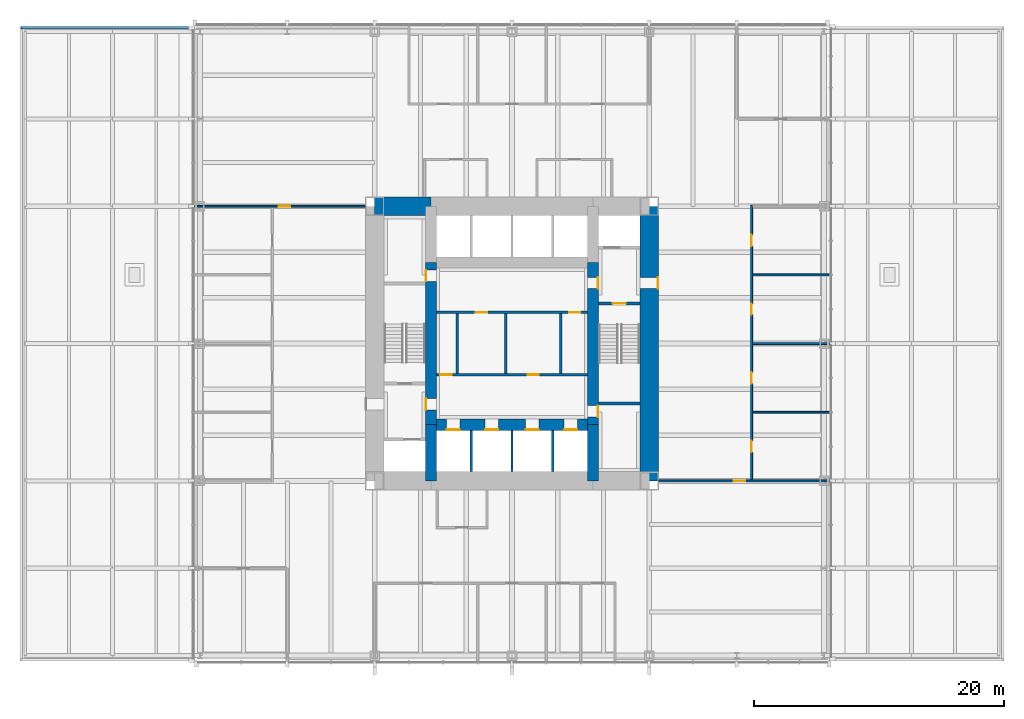
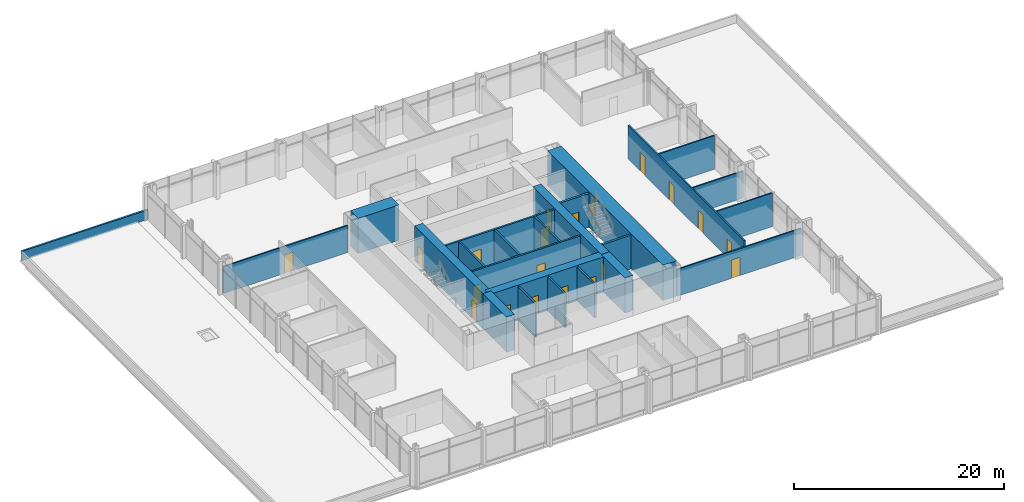
# One storey, part 13 of 15: 24 walls, 20 doors, 20 openings.
"""IFC4 building model written with IfcOpenShell, lengths in metres."""

from ifc_helpers import new_model, si_unit, direction, frame, frame_2d, origin, place, context, subcontext, project, spatial, rectangle, extrude, material, layer, layer_set, type_object, element, fill, save


model = new_model("IFC4")

# Units and contexts
model_context = context("Model", 3, precision=1e-05, world=origin(), true_north=direction((0.0, 1.0)))
body_context = subcontext(model_context, "Body", "Model", "MODEL_VIEW")
ifc_project = project(units=[si_unit("LENGTHUNIT", "METRE"), si_unit("AREAUNIT", "SQUARE_METRE"), si_unit("VOLUMEUNIT", "CUBIC_METRE"), si_unit("PLANEANGLEUNIT", "RADIAN"), si_unit("MASSUNIT", "GRAM", prefix="KILO")], contexts=[model_context])

# Site, building, storey
site_placement = place(None, origin())
site = spatial("IfcSite", under=ifc_project, at=site_placement, CompositionType="ELEMENT")
building_placement = place(site_placement, origin())
building = spatial("IfcBuilding", under=site, at=building_placement, Name="Trevanion Tower", CompositionType="ELEMENT")
storey_placement = place(building_placement, frame((0.0, 0.0, 16.0)))
storey = spatial("IfcBuildingStorey", under=building, at=storey_placement, Name="L03", CompositionType="ELEMENT", Elevation=16.0)

# Wall, opening, door
ifc_material_1 = material(Name="Concrete 10,000 psi", Category="concrete")
ifc_layer_1 = layer(ifc_material_1, 1.5)
ifc_layer_set_1 = layer_set([ifc_layer_1], Name="CW1 core wall 1500")
wall_type_1 = type_object("IfcWallType", Name="CW1 core wall 1500", PredefinedType="SHEAR", material=ifc_layer_set_1)
wall_1_placement = place(storey_placement, frame((11.0, -11.0, 0.0), z_axis=(0.0, 0.0, 1.0), x_axis=(0.0, 1.0, 0.0)))
wall_1 = element("IfcWall", 1, at=wall_1_placement, inside=storey, type_object=wall_type_1, Name="CW1 CE L03", PredefinedType="SHEAR", context=body_context, shape_type="SweptSolid", body=[
    extrude(rectangle(XDim=22.0, YDim=1.5, at=frame_2d((11.0, 0.0))), origin(), (0.0, 0.0, 1.0), 4.10009765625),
])
opening_1_placement = place(wall_1_placement, frame((15.392578125, 0.0, 0.0)))
opening_1 = element("IfcOpeningElement", 2, at=opening_1_placement, cuts=wall_1, Name="Opening 03-001", PredefinedType="OPENING", context=body_context, shape_type="SweptSolid", body=[
    extrude(rectangle(XDim=0.9150390625, YDim=2.134033203125, at=frame_2d((0.45751953125, 1.06689453125))), frame((0.0, 0.760009765625, 0.0), z_axis=(0.0, -1.0, 0.0), x_axis=(1.0, 0.0, 0.0)), (0.0, 0.0, 1.0), 1.52001953125),
])
ifc_material_2 = material(Name="Hollow metal, fire rated", Category="steel")
door_type_1 = type_object("IfcDoorType", Name="D3 fire lift lobby door", OperationType="SINGLE_SWING_RIGHT", PredefinedType="DOOR", material=ifc_material_2)
door_1_placement = place(opening_1_placement, origin())
door_1 = element("IfcDoor", 3, at=door_1_placement, inside=storey, type_object=door_type_1, Name="Door 03-001", OperationType="SINGLE_SWING_RIGHT", OverallHeight=2.134033203125, OverallWidth=0.9150390625, PredefinedType="DOOR", context=body_context, shape_type="SweptSolid", body=[
    extrude(rectangle(XDim=0.9150390625, YDim=2.134033203125, at=frame_2d((0.45751953125, 1.06689453125))), frame((0.0, -0.6748046875, 0.0), z_axis=(0.0, -1.0, 0.0), x_axis=(1.0, 0.0, 0.0)), (0.0, 0.0, 1.0), 0.050048828125),
])
fill(opening_1, door_1)

# Walls
wall_2_placement = place(storey_placement, frame((-6.5, 11.0, 0.0), z_axis=(0.0, 0.0, 1.0), x_axis=(-1.0, 0.0, 0.0)))
element("IfcWall", 4, at=wall_2_placement, inside=storey, type_object=wall_type_1, Name="CW1 CN3 L03", PredefinedType="SHEAR", context=body_context, shape_type="SweptSolid", body=[
    extrude(rectangle(XDim=4.5, YDim=1.5, at=frame_2d((2.25, 0.0))), origin(), (0.0, 0.0, 1.0), 4.10009765625),
])
ifc_material_3 = material(Name="Concrete 10,000 psi", Category="concrete")
ifc_layer_2 = layer(ifc_material_3, 0.89990234375)
ifc_layer_set_2 = layer_set([ifc_layer_2], Name="CW2 core wall 900")
wall_type_2 = type_object("IfcWallType", Name="CW2 core wall 900", PredefinedType="SHEAR", material=ifc_layer_set_2)
wall_3_placement = place(storey_placement, frame((6.5, -11.0, 0.0), z_axis=(0.0, 0.0, 1.0), x_axis=(0.0, 1.0, 0.0)))
element("IfcWall", 5, at=wall_3_placement, inside=storey, type_object=wall_type_2, Name="CW2 RE1 L03", PredefinedType="SHEAR", context=body_context, shape_type="SweptSolid", body=[
    extrude(rectangle(XDim=4.5, YDim=0.89990234375, at=frame_2d((2.25, 0.0))), origin(), (0.0, 0.0, 1.0), 4.10009765625),
])

# Wall, openings, doors
wall_4_placement = place(storey_placement, frame((6.5, -6.5, 0.0), z_axis=(0.0, 0.0, 1.0), x_axis=(0.0, 1.0, 0.0)))
wall_4 = element("IfcWall", 6, at=wall_4_placement, inside=storey, type_object=wall_type_2, Name="CW2 RE2 L03", PredefinedType="SHEAR", context=body_context, shape_type="SweptSolid", body=[
    extrude(rectangle(XDim=13.0, YDim=0.89990234375, at=frame_2d((6.5, 0.0))), origin(), (0.0, 0.0, 1.0), 4.10009765625),
])
opening_2_placement = place(wall_4_placement, frame((10.892578125, 0.0, 0.0)))
opening_2 = element("IfcOpeningElement", 7, at=opening_2_placement, cuts=wall_4, Name="Opening 03-003", PredefinedType="OPENING", context=body_context, shape_type="SweptSolid", body=[
    extrude(rectangle(XDim=0.9150390625, YDim=2.134033203125, at=frame_2d((0.45751953125, 1.06689453125))), frame((0.0, 0.4599609375, 0.0), z_axis=(0.0, -1.0, 0.0), x_axis=(1.0, 0.0, 0.0)), (0.0, 0.0, 1.0), 0.919921875),
])
opening_3_placement = place(wall_4_placement, frame((0.610107421875, 0.0, 0.0)))
opening_3 = element("IfcOpeningElement", 8, at=opening_3_placement, cuts=wall_4, Name="Opening 03-009", PredefinedType="OPENING", context=body_context, shape_type="SweptSolid", body=[
    extrude(rectangle(XDim=0.9150390625, YDim=2.134033203125, at=frame_2d((0.45751953125, 1.06689453125))), frame((0.0, 0.4599609375, 0.0), z_axis=(0.0, -1.0, 0.0), x_axis=(1.0, 0.0, 0.0)), (0.0, 0.0, 1.0), 0.919921875),
])
door_2_placement = place(opening_2_placement, origin())
door_2 = element("IfcDoor", 9, at=door_2_placement, inside=storey, type_object=door_type_1, Name="Door 03-003", OperationType="SINGLE_SWING_RIGHT", OverallHeight=2.134033203125, OverallWidth=0.9150390625, PredefinedType="DOOR", context=body_context, shape_type="SweptSolid", body=[
    extrude(rectangle(XDim=0.9150390625, YDim=2.134033203125, at=frame_2d((0.45751953125, 1.06689453125))), frame((0.0, -0.375, 0.0), z_axis=(0.0, -1.0, 0.0), x_axis=(1.0, 0.0, 0.0)), (0.0, 0.0, 1.0), 0.050048828125),
])
fill(opening_2, door_2)
ifc_material_4 = material(Name="Hollow metal, fire rated", Category="steel")
door_type_2 = type_object("IfcDoorType", Name="D5 service room door", OperationType="SINGLE_SWING_RIGHT", PredefinedType="DOOR", material=ifc_material_4)
door_3_placement = place(opening_3_placement, origin())
door_3 = element("IfcDoor", 10, at=door_3_placement, inside=storey, type_object=door_type_2, Name="Door 03-009", OperationType="SINGLE_SWING_RIGHT", OverallHeight=2.134033203125, OverallWidth=0.9150390625, PredefinedType="DOOR", context=body_context, shape_type="SweptSolid", body=[
    extrude(rectangle(XDim=0.9150390625, YDim=2.134033203125, at=frame_2d((0.45751953125, 1.06689453125))), frame((0.0, -0.375, 0.0), z_axis=(0.0, -1.0, 0.0), x_axis=(1.0, 0.0, 0.0)), (0.0, 0.0, 1.0), 0.050048828125),
])
fill(opening_3, door_3)

wall_5_placement = place(storey_placement, frame((-6.5, 6.5, 0.0), z_axis=(0.0, 0.0, 1.0), x_axis=(0.0, -1.0, 0.0)))
wall_5 = element("IfcWall", 11, at=wall_5_placement, inside=storey, type_object=wall_type_2, Name="CW2 RW2 L03", PredefinedType="SHEAR", context=body_context, shape_type="SweptSolid", body=[
    extrude(rectangle(XDim=13.0, YDim=0.89990234375, at=frame_2d((6.5, 0.0))), origin(), (0.0, 0.0, 1.0), 4.10009765625),
])
opening_4_placement = place(wall_5_placement, frame((10.892578125, 0.0, 0.0)))
opening_4 = element("IfcOpeningElement", 12, at=opening_4_placement, cuts=wall_5, Name="Opening 03-004", PredefinedType="OPENING", context=body_context, shape_type="SweptSolid", body=[
    extrude(rectangle(XDim=0.9150390625, YDim=2.134033203125, at=frame_2d((0.45751953125, 1.06689453125))), frame((0.0, 0.4599609375, 0.0), z_axis=(0.0, -1.0, 0.0), x_axis=(1.0, 0.0, 0.0)), (0.0, 0.0, 1.0), 0.919921875),
])
opening_5_placement = place(wall_5_placement, frame((0.610107421875, 0.0, 0.0)))
opening_5 = element("IfcOpeningElement", 13, at=opening_5_placement, cuts=wall_5, Name="Opening 03-010", PredefinedType="OPENING", context=body_context, shape_type="SweptSolid", body=[
    extrude(rectangle(XDim=0.9150390625, YDim=2.134033203125, at=frame_2d((0.45751953125, 1.06689453125))), frame((0.0, 0.4599609375, 0.0), z_axis=(0.0, -1.0, 0.0), x_axis=(1.0, 0.0, 0.0)), (0.0, 0.0, 1.0), 0.919921875),
])
door_4_placement = place(opening_4_placement, origin())
door_4 = element("IfcDoor", 14, at=door_4_placement, inside=storey, type_object=door_type_1, Name="Door 03-004", OperationType="SINGLE_SWING_RIGHT", OverallHeight=2.134033203125, OverallWidth=0.9150390625, PredefinedType="DOOR", context=body_context, shape_type="SweptSolid", body=[
    extrude(rectangle(XDim=0.9150390625, YDim=2.134033203125, at=frame_2d((0.45751953125, 1.06689453125))), frame((0.0, -0.375, 0.0), z_axis=(0.0, -1.0, 0.0), x_axis=(1.0, 0.0, 0.0)), (0.0, 0.0, 1.0), 0.050048828125),
])
fill(opening_4, door_4)
door_5_placement = place(opening_5_placement, origin())
door_5 = element("IfcDoor", 15, at=door_5_placement, inside=storey, type_object=door_type_2, Name="Door 03-010", OperationType="SINGLE_SWING_RIGHT", OverallHeight=2.134033203125, OverallWidth=0.9150390625, PredefinedType="DOOR", context=body_context, shape_type="SweptSolid", body=[
    extrude(rectangle(XDim=0.9150390625, YDim=2.134033203125, at=frame_2d((0.45751953125, 1.06689453125))), frame((0.0, -0.375, 0.0), z_axis=(0.0, -1.0, 0.0), x_axis=(1.0, 0.0, 0.0)), (0.0, 0.0, 1.0), 0.050048828125),
])
fill(opening_5, door_5)

# Wall
wall_6_placement = place(storey_placement, frame((-6.5, -6.5, 0.0), z_axis=(0.0, 0.0, 1.0), x_axis=(0.0, -1.0, 0.0)))
element("IfcWall", 16, at=wall_6_placement, inside=storey, type_object=wall_type_2, Name="CW2 RW3 L03", PredefinedType="SHEAR", context=body_context, shape_type="SweptSolid", body=[
    extrude(rectangle(XDim=4.5, YDim=0.89990234375, at=frame_2d((2.25, 0.0))), origin(), (0.0, 0.0, 1.0), 4.10009765625),
])

# Wall, openings, doors
wall_7_placement = place(storey_placement, frame((-6.5, -6.5, 0.0), z_axis=(0.0, 0.0, 1.0), x_axis=(1.0, 0.0, 0.0)))
wall_7 = element("IfcWall", 17, at=wall_7_placement, inside=storey, type_object=wall_type_2, Name="CW2 RS L03", PredefinedType="SHEAR", context=body_context, shape_type="SweptSolid", body=[
    extrude(rectangle(XDim=13.0, YDim=0.89990234375, at=frame_2d((6.5, 0.0))), origin(), (0.0, 0.0, 1.0), 4.10009765625),
])
opening_6_placement = place(wall_7_placement, frame((1.2666015625, 0.0, 0.0)))
opening_6 = element("IfcOpeningElement", 18, at=opening_6_placement, cuts=wall_7, Name="Opening 03-011", PredefinedType="OPENING", context=body_context, shape_type="SweptSolid", body=[
    extrude(rectangle(XDim=1.06689453125, YDim=2.134033203125, at=frame_2d((0.533447265625, 1.06689453125))), frame((0.0, 0.4599609375, 0.0), z_axis=(0.0, -1.0, 0.0), x_axis=(1.0, 0.0, 0.0)), (0.0, 0.0, 1.0), 0.919921875),
])
opening_7_placement = place(wall_7_placement, frame((4.341552734375, 0.0, 0.0)))
opening_7 = element("IfcOpeningElement", 19, at=opening_7_placement, cuts=wall_7, Name="Opening 03-012", PredefinedType="OPENING", context=body_context, shape_type="SweptSolid", body=[
    extrude(rectangle(XDim=1.06689453125, YDim=2.134033203125, at=frame_2d((0.533447265625, 1.06689453125))), frame((0.0, 0.4599609375, 0.0), z_axis=(0.0, -1.0, 0.0), x_axis=(1.0, 0.0, 0.0)), (0.0, 0.0, 1.0), 0.919921875),
])
opening_8_placement = place(wall_7_placement, frame((7.591552734375, 0.0, 0.0)))
opening_8 = element("IfcOpeningElement", 20, at=opening_8_placement, cuts=wall_7, Name="Opening 03-013", PredefinedType="OPENING", context=body_context, shape_type="SweptSolid", body=[
    extrude(rectangle(XDim=1.06689453125, YDim=2.134033203125, at=frame_2d((0.533447265625, 1.06689453125))), frame((0.0, 0.4599609375, 0.0), z_axis=(0.0, -1.0, 0.0), x_axis=(1.0, 0.0, 0.0)), (0.0, 0.0, 1.0), 0.919921875),
])
opening_9_placement = place(wall_7_placement, frame((10.66650390625, 0.0, 0.0)))
opening_9 = element("IfcOpeningElement", 21, at=opening_9_placement, cuts=wall_7, Name="Opening 03-014", PredefinedType="OPENING", context=body_context, shape_type="SweptSolid", body=[
    extrude(rectangle(XDim=1.06689453125, YDim=2.134033203125, at=frame_2d((0.533447265625, 1.06689453125))), frame((0.0, 0.4599609375, 0.0), z_axis=(0.0, -1.0, 0.0), x_axis=(1.0, 0.0, 0.0)), (0.0, 0.0, 1.0), 0.919921875),
])
ifc_material_5 = material(Name="Stainless steel, fire rated", Category="steel")
door_type_3 = type_object("IfcDoorType", Name="LD1 lift landing door", OperationType="SLIDING_TO_LEFT", PredefinedType="DOOR", material=ifc_material_5)
door_6_placement = place(opening_6_placement, origin())
door_6 = element("IfcDoor", 22, at=door_6_placement, inside=storey, type_object=door_type_3, Name="Door 03-011", OperationType="SLIDING_TO_LEFT", OverallHeight=2.134033203125, OverallWidth=1.06689453125, PredefinedType="DOOR", context=body_context, shape_type="SweptSolid", body=[
    extrude(rectangle(XDim=1.06689453125, YDim=2.134033203125, at=frame_2d((0.533447265625, 1.06689453125))), frame((0.0, -0.375, 0.0), z_axis=(0.0, -1.0, 0.0), x_axis=(1.0, 0.0, 0.0)), (0.0, 0.0, 1.0), 0.050048828125),
])
fill(opening_6, door_6)
door_7_placement = place(opening_7_placement, origin())
door_7 = element("IfcDoor", 23, at=door_7_placement, inside=storey, type_object=door_type_3, Name="Door 03-012", OperationType="SLIDING_TO_LEFT", OverallHeight=2.134033203125, OverallWidth=1.06689453125, PredefinedType="DOOR", context=body_context, shape_type="SweptSolid", body=[
    extrude(rectangle(XDim=1.06689453125, YDim=2.134033203125, at=frame_2d((0.533447265625, 1.06689453125))), frame((0.0, -0.375, 0.0), z_axis=(0.0, -1.0, 0.0), x_axis=(1.0, 0.0, 0.0)), (0.0, 0.0, 1.0), 0.050048828125),
])
fill(opening_7, door_7)
door_8_placement = place(opening_8_placement, origin())
door_8 = element("IfcDoor", 24, at=door_8_placement, inside=storey, type_object=door_type_3, Name="Door 03-013", OperationType="SLIDING_TO_LEFT", OverallHeight=2.134033203125, OverallWidth=1.06689453125, PredefinedType="DOOR", context=body_context, shape_type="SweptSolid", body=[
    extrude(rectangle(XDim=1.06689453125, YDim=2.134033203125, at=frame_2d((0.533447265625, 1.06689453125))), frame((0.0, -0.375, 0.0), z_axis=(0.0, -1.0, 0.0), x_axis=(1.0, 0.0, 0.0)), (0.0, 0.0, 1.0), 0.050048828125),
])
fill(opening_8, door_8)
door_9_placement = place(opening_9_placement, origin())
door_9 = element("IfcDoor", 25, at=door_9_placement, inside=storey, type_object=door_type_3, Name="Door 03-014", OperationType="SLIDING_TO_LEFT", OverallHeight=2.134033203125, OverallWidth=1.06689453125, PredefinedType="DOOR", context=body_context, shape_type="SweptSolid", body=[
    extrude(rectangle(XDim=1.06689453125, YDim=2.134033203125, at=frame_2d((0.533447265625, 1.06689453125))), frame((0.0, -0.375, 0.0), z_axis=(0.0, -1.0, 0.0), x_axis=(1.0, 0.0, 0.0)), (0.0, 0.0, 1.0), 0.050048828125),
])
fill(opening_9, door_9)

# Wall
ifc_material_6 = material(Name="Reinforced concrete parapet faced in bronze metal coping", Category="concrete")
ifc_layer_3 = layer(ifc_material_6, 0.199951171875)
ifc_layer_set_3 = layer_set([ifc_layer_3], Name="PP1 parapet 200")
wall_type_3 = type_object("IfcWallType", Name="PP1 parapet 200", PredefinedType="PARAPET", material=ifc_layer_set_3)
wall_8_placement = place(storey_placement, frame((-39.320068359375, 25.320068359375, 0.0), z_axis=(0.0, 0.0, 1.0), x_axis=(1.0, 0.0, 0.0)))
element("IfcWall", 26, at=wall_8_placement, inside=storey, type_object=wall_type_3, Name="PP1 L03 west 3", PredefinedType="PARAPET", context=body_context, shape_type="SweptSolid", body=[
    extrude(rectangle(XDim=13.900146484375, YDim=0.199951171875, at=frame_2d((6.9501953125, 0.0))), origin(), (0.0, 0.0, 1.0), 1.10009765625),
])

# Wall, opening, door
ifc_material_7 = material(Name="Gypsum board on steel studs", Category="steel")
ifc_layer_4 = layer(ifc_material_7, 0.14990234375)
ifc_layer_set_4 = layer_set([ifc_layer_4], Name="PT1 partition 150")
wall_type_4 = type_object("IfcWallType", Name="PT1 partition 150", PredefinedType="PARTITIONING", material=ifc_layer_set_4)
wall_9_placement = place(storey_placement, frame((-11.75, 11.0, 0.0), z_axis=(0.0, 0.0, 1.0), x_axis=(-1.0, 0.0, 0.0)))
wall_9 = element("IfcWall", 27, at=wall_9_placement, inside=storey, type_object=wall_type_4, Name="PT1 L03 ZW1", PredefinedType="PARTITIONING", context=body_context, shape_type="SweptSolid", body=[
    extrude(rectangle(XDim=13.6650390625, YDim=0.14990234375, at=frame_2d((6.83251953125, 0.0))), origin(), (0.0, 0.0, 1.0), 3.130126953125),
])
opening_10_placement = place(wall_9_placement, frame((6.017578125, 0.0, 0.0)))
opening_10 = element("IfcOpeningElement", 28, at=opening_10_placement, cuts=wall_9, Name="Opening 03-019", PredefinedType="OPENING", context=body_context, shape_type="SweptSolid", body=[
    extrude(rectangle(XDim=0.9150390625, YDim=2.134033203125, at=frame_2d((0.45751953125, 1.06689453125))), frame((0.0, 0.0849609375, 0.0), z_axis=(0.0, -1.0, 0.0), x_axis=(1.0, 0.0, 0.0)), (0.0, 0.0, 1.0), 0.169921875),
])
ifc_material_8 = material(Name="Timber veneer, solid core", Category="wood")
door_type_4 = type_object("IfcDoorType", Name="D1 office and meeting room door", OperationType="SINGLE_SWING_LEFT", PredefinedType="DOOR", material=ifc_material_8)
door_10_placement = place(opening_10_placement, origin())
door_10 = element("IfcDoor", 29, at=door_10_placement, inside=storey, type_object=door_type_4, Name="Door 03-019", OperationType="SINGLE_SWING_LEFT", OverallHeight=2.134033203125, OverallWidth=0.9150390625, PredefinedType="DOOR", context=body_context, shape_type="SweptSolid", body=[
    extrude(rectangle(XDim=0.9150390625, YDim=2.134033203125, at=frame_2d((0.45751953125, 1.06689453125))), frame((0.0, 0.02490234375, 0.0), z_axis=(0.0, -1.0, 0.0), x_axis=(1.0, 0.0, 0.0)), (0.0, 0.0, 1.0), 0.050048828125),
])
fill(opening_10, door_10)

wall_10_placement = place(storey_placement, frame((11.75, -11.0, 0.0), z_axis=(0.0, 0.0, 1.0), x_axis=(1.0, 0.0, 0.0)))
wall_10 = element("IfcWall", 30, at=wall_10_placement, inside=storey, type_object=wall_type_4, Name="PT1 L03 ZW3", PredefinedType="PARTITIONING", context=body_context, shape_type="SweptSolid", body=[
    extrude(rectangle(XDim=13.6650390625, YDim=0.14990234375, at=frame_2d((6.83251953125, 0.0))), origin(), (0.0, 0.0, 1.0), 3.130126953125),
])
opening_11_placement = place(wall_10_placement, frame((6.017578125, 0.0, 0.0)))
opening_11 = element("IfcOpeningElement", 31, at=opening_11_placement, cuts=wall_10, Name="Opening 03-020", PredefinedType="OPENING", context=body_context, shape_type="SweptSolid", body=[
    extrude(rectangle(XDim=0.9150390625, YDim=2.134033203125, at=frame_2d((0.45751953125, 1.06689453125))), frame((0.0, 0.0849609375, 0.0), z_axis=(0.0, -1.0, 0.0), x_axis=(1.0, 0.0, 0.0)), (0.0, 0.0, 1.0), 0.169921875),
])
door_11_placement = place(opening_11_placement, origin())
door_11 = element("IfcDoor", 32, at=door_11_placement, inside=storey, type_object=door_type_4, Name="Door 03-020", OperationType="SINGLE_SWING_LEFT", OverallHeight=2.134033203125, OverallWidth=0.9150390625, PredefinedType="DOOR", context=body_context, shape_type="SweptSolid", body=[
    extrude(rectangle(XDim=0.9150390625, YDim=2.134033203125, at=frame_2d((0.45751953125, 1.06689453125))), frame((0.0, 0.02490234375, 0.0), z_axis=(0.0, -1.0, 0.0), x_axis=(1.0, 0.0, 0.0)), (0.0, 0.0, 1.0), 0.050048828125),
])
fill(opening_11, door_11)

# Wall, openings, doors
wall_11_placement = place(storey_placement, frame((19.199951171875, -11.074951171875, 0.0), z_axis=(0.0, 0.0, 1.0), x_axis=(0.0, 1.0, 0.0)))
wall_11 = element("IfcWall", 33, at=wall_11_placement, inside=storey, type_object=wall_type_4, Name="PT1 L03 FC0F", PredefinedType="PARTITIONING", context=body_context, shape_type="SweptSolid", body=[
    extrude(rectangle(XDim=22.14990234375, YDim=0.14990234375, at=frame_2d((11.074951171875, 0.0))), origin(), (0.0, 0.0, 1.0), 3.909912109375),
])
opening_12_placement = place(wall_11_placement, frame((2.367431640625, 0.0, 0.0)))
opening_12 = element("IfcOpeningElement", 34, at=opening_12_placement, cuts=wall_11, Name="Opening 03-023", PredefinedType="OPENING", context=body_context, shape_type="SweptSolid", body=[
    extrude(rectangle(XDim=0.9150390625, YDim=2.134033203125, at=frame_2d((0.45751953125, 1.06689453125))), frame((0.0, 0.0849609375, 0.0), z_axis=(0.0, -1.0, 0.0), x_axis=(1.0, 0.0, 0.0)), (0.0, 0.0, 1.0), 0.169921875),
])
opening_13_placement = place(wall_11_placement, frame((7.867431640625, 0.0, 0.0)))
opening_13 = element("IfcOpeningElement", 35, at=opening_13_placement, cuts=wall_11, Name="Opening 03-024", PredefinedType="OPENING", context=body_context, shape_type="SweptSolid", body=[
    extrude(rectangle(XDim=0.9150390625, YDim=2.134033203125, at=frame_2d((0.45751953125, 1.06689453125))), frame((0.0, 0.0849609375, 0.0), z_axis=(0.0, -1.0, 0.0), x_axis=(1.0, 0.0, 0.0)), (0.0, 0.0, 1.0), 0.169921875),
])
opening_14_placement = place(wall_11_placement, frame((13.367431640625, 0.0, 0.0)))
opening_14 = element("IfcOpeningElement", 36, at=opening_14_placement, cuts=wall_11, Name="Opening 03-025", PredefinedType="OPENING", context=body_context, shape_type="SweptSolid", body=[
    extrude(rectangle(XDim=0.9150390625, YDim=2.134033203125, at=frame_2d((0.45751953125, 1.06689453125))), frame((0.0, 0.0849609375, 0.0), z_axis=(0.0, -1.0, 0.0), x_axis=(1.0, 0.0, 0.0)), (0.0, 0.0, 1.0), 0.169921875),
])
opening_15_placement = place(wall_11_placement, frame((18.867431640625, 0.0, 0.0)))
opening_15 = element("IfcOpeningElement", 37, at=opening_15_placement, cuts=wall_11, Name="Opening 03-026", PredefinedType="OPENING", context=body_context, shape_type="SweptSolid", body=[
    extrude(rectangle(XDim=0.9150390625, YDim=2.134033203125, at=frame_2d((0.45751953125, 1.06689453125))), frame((0.0, 0.0849609375, 0.0), z_axis=(0.0, -1.0, 0.0), x_axis=(1.0, 0.0, 0.0)), (0.0, 0.0, 1.0), 0.169921875),
])
door_12_placement = place(opening_12_placement, origin())
door_12 = element("IfcDoor", 38, at=door_12_placement, inside=storey, type_object=door_type_4, Name="Door 03-023", OperationType="SINGLE_SWING_LEFT", OverallHeight=2.134033203125, OverallWidth=0.9150390625, PredefinedType="DOOR", context=body_context, shape_type="SweptSolid", body=[
    extrude(rectangle(XDim=0.9150390625, YDim=2.134033203125, at=frame_2d((0.45751953125, 1.06689453125))), frame((0.0, 0.02490234375, 0.0), z_axis=(0.0, -1.0, 0.0), x_axis=(1.0, 0.0, 0.0)), (0.0, 0.0, 1.0), 0.050048828125),
])
fill(opening_12, door_12)
door_13_placement = place(opening_13_placement, origin())
door_13 = element("IfcDoor", 39, at=door_13_placement, inside=storey, type_object=door_type_4, Name="Door 03-024", OperationType="SINGLE_SWING_LEFT", OverallHeight=2.134033203125, OverallWidth=0.9150390625, PredefinedType="DOOR", context=body_context, shape_type="SweptSolid", body=[
    extrude(rectangle(XDim=0.9150390625, YDim=2.134033203125, at=frame_2d((0.45751953125, 1.06689453125))), frame((0.0, 0.02490234375, 0.0), z_axis=(0.0, -1.0, 0.0), x_axis=(1.0, 0.0, 0.0)), (0.0, 0.0, 1.0), 0.050048828125),
])
fill(opening_13, door_13)
door_14_placement = place(opening_14_placement, origin())
door_14 = element("IfcDoor", 40, at=door_14_placement, inside=storey, type_object=door_type_4, Name="Door 03-025", OperationType="SINGLE_SWING_LEFT", OverallHeight=2.134033203125, OverallWidth=0.9150390625, PredefinedType="DOOR", context=body_context, shape_type="SweptSolid", body=[
    extrude(rectangle(XDim=0.9150390625, YDim=2.134033203125, at=frame_2d((0.45751953125, 1.06689453125))), frame((0.0, 0.02490234375, 0.0), z_axis=(0.0, -1.0, 0.0), x_axis=(1.0, 0.0, 0.0)), (0.0, 0.0, 1.0), 0.050048828125),
])
fill(opening_14, door_14)
door_15_placement = place(opening_15_placement, origin())
door_15 = element("IfcDoor", 41, at=door_15_placement, inside=storey, type_object=door_type_4, Name="Door 03-026", OperationType="SINGLE_SWING_LEFT", OverallHeight=2.134033203125, OverallWidth=0.9150390625, PredefinedType="DOOR", context=body_context, shape_type="SweptSolid", body=[
    extrude(rectangle(XDim=0.9150390625, YDim=2.134033203125, at=frame_2d((0.45751953125, 1.06689453125))), frame((0.0, 0.02490234375, 0.0), z_axis=(0.0, -1.0, 0.0), x_axis=(1.0, 0.0, 0.0)), (0.0, 0.0, 1.0), 0.050048828125),
])
fill(opening_15, door_15)

# Walls
wall_12_placement = place(storey_placement, frame((19.27490234375, -5.5, 0.0), z_axis=(0.0, 0.0, 1.0), x_axis=(1.0, 0.0, 0.0)))
element("IfcWall", 42, at=wall_12_placement, inside=storey, type_object=wall_type_4, Name="PT1 L03 FC0S2", PredefinedType="PARTITIONING", context=body_context, shape_type="SweptSolid", body=[
    extrude(rectangle(XDim=6.14013671875, YDim=0.14990234375, at=frame_2d((3.070068359375, 0.0))), origin(), (0.0, 0.0, 1.0), 3.909912109375),
])
wall_13_placement = place(storey_placement, frame((19.27490234375, 0.0, 0.0), z_axis=(0.0, 0.0, 1.0), x_axis=(1.0, 0.0, 0.0)))
element("IfcWall", 43, at=wall_13_placement, inside=storey, type_object=wall_type_4, Name="PT1 L03 FC0S4", PredefinedType="PARTITIONING", context=body_context, shape_type="SweptSolid", body=[
    extrude(rectangle(XDim=6.14013671875, YDim=0.14990234375, at=frame_2d((3.070068359375, 0.0))), origin(), (0.0, 0.0, 1.0), 3.130126953125),
])
wall_14_placement = place(storey_placement, frame((19.27490234375, 5.5, 0.0), z_axis=(0.0, 0.0, 1.0), x_axis=(1.0, 0.0, 0.0)))
element("IfcWall", 44, at=wall_14_placement, inside=storey, type_object=wall_type_4, Name="PT1 L03 FC0S6", PredefinedType="PARTITIONING", context=body_context, shape_type="SweptSolid", body=[
    extrude(rectangle(XDim=6.14013671875, YDim=0.14990234375, at=frame_2d((3.070068359375, 0.0))), origin(), (0.0, 0.0, 1.0), 3.909912109375),
])
ifc_material_9 = material(Name="Concrete masonry, grouted", Category="masonry")
ifc_layer_5 = layer(ifc_material_9, 0.199951171875)
ifc_layer_set_5 = layer_set([ifc_layer_5], Name="PT2 partition 200")
wall_type_5 = type_object("IfcWallType", Name="PT2 partition 200", PredefinedType="PARTITIONING", material=ifc_layer_set_5)
for number, where, z_axis, x_axis, name in (
    (45, (-4.39990234375, -2.39990234375, 0.0), (0.0, 0.0, 1.0), (0.0, 1.0, 0.0), "PT2 L03 TP1"),
    (46, (-0.5, -2.39990234375, 0.0), (0.0, 0.0, 1.0), (0.0, 1.0, 0.0), "PT2 L03 TP2"),
    (47, (3.89990234375, -2.39990234375, 0.0), (0.0, 0.0, 1.0), (0.0, 1.0, 0.0), "PT2 L03 TP3"),
):
    element("IfcWall", number, at=place(storey_placement, frame(where, z_axis=z_axis, x_axis=x_axis)), inside=storey, type_object=wall_type_5, Name=name, PredefinedType="PARTITIONING", context=body_context, shape_type="SweptSolid", body=[
        extrude(rectangle(XDim=4.7998046875, YDim=0.199951171875, at=frame_2d((2.39990234375, 0.0))), origin(), (0.0, 0.0, 1.0), 3.909912109375),
    ])

# Wall, openings, doors
ifc_material_10 = material(Name="Concrete masonry, grouted", Category="masonry")
ifc_layer_6 = layer(ifc_material_10, 0.199951171875)
ifc_layer_set_6 = layer_set([ifc_layer_6], Name="PT2 partition 200 1 HR")
wall_type_6 = type_object("IfcWallType", Name="PT2 partition 200 1 HR", PredefinedType="PARTITIONING", material=ifc_layer_set_6)
wall_15_placement = place(storey_placement, frame((-6.050048828125, 2.5, 0.0), z_axis=(0.0, 0.0, 1.0), x_axis=(1.0, 0.0, 0.0)))
wall_15 = element("IfcWall", 48, at=wall_15_placement, inside=storey, type_object=wall_type_6, Name="PT2 L03 CP1", PredefinedType="PARTITIONING", context=body_context, shape_type="SweptSolid", body=[
    extrude(rectangle(XDim=12.10009765625, YDim=0.199951171875, at=frame_2d((6.050048828125, 0.0))), origin(), (0.0, 0.0, 1.0), 3.909912109375),
])
opening_16_placement = place(wall_15_placement, frame((3.142578125, 0.0, 0.0)))
opening_16 = element("IfcOpeningElement", 49, at=opening_16_placement, cuts=wall_15, Name="Opening 03-016", PredefinedType="OPENING", context=body_context, shape_type="SweptSolid", body=[
    extrude(rectangle(XDim=0.9150390625, YDim=2.134033203125, at=frame_2d((0.45751953125, 1.06689453125))), frame((0.0, 0.10986328125, 0.0), z_axis=(0.0, -1.0, 0.0), x_axis=(1.0, 0.0, 0.0)), (0.0, 0.0, 1.0), 0.219970703125),
])
opening_17_placement = place(wall_15_placement, frame((10.617431640625, 0.0, 0.0)))
opening_17 = element("IfcOpeningElement", 50, at=opening_17_placement, cuts=wall_15, Name="Opening 03-018", PredefinedType="OPENING", context=body_context, shape_type="SweptSolid", body=[
    extrude(rectangle(XDim=0.9150390625, YDim=2.134033203125, at=frame_2d((0.45751953125, 1.06689453125))), frame((0.0, 0.10986328125, 0.0), z_axis=(0.0, -1.0, 0.0), x_axis=(1.0, 0.0, 0.0)), (0.0, 0.0, 1.0), 0.219970703125),
])
ifc_material_11 = material(Name="Plastic laminate on fire-rated core", Category="wood")
door_type_5 = type_object("IfcDoorType", Name="D12 toilet door in a one hour wall", OperationType="SINGLE_SWING_LEFT", PredefinedType="DOOR", material=ifc_material_11)
door_16_placement = place(opening_16_placement, origin())
door_16 = element("IfcDoor", 51, at=door_16_placement, inside=storey, type_object=door_type_5, Name="Door 03-016", OperationType="SINGLE_SWING_LEFT", OverallHeight=2.134033203125, OverallWidth=0.9150390625, PredefinedType="DOOR", context=body_context, shape_type="SweptSolid", body=[
    extrude(rectangle(XDim=0.9150390625, YDim=2.134033203125, at=frame_2d((0.45751953125, 1.06689453125))), frame((0.0, 0.02490234375, 0.0), z_axis=(0.0, -1.0, 0.0), x_axis=(1.0, 0.0, 0.0)), (0.0, 0.0, 1.0), 0.050048828125),
])
fill(opening_16, door_16)
door_17_placement = place(opening_17_placement, origin())
door_17 = element("IfcDoor", 52, at=door_17_placement, inside=storey, type_object=door_type_5, Name="Door 03-018", OperationType="SINGLE_SWING_LEFT", OverallHeight=2.134033203125, OverallWidth=0.9150390625, PredefinedType="DOOR", context=body_context, shape_type="SweptSolid", body=[
    extrude(rectangle(XDim=0.9150390625, YDim=2.134033203125, at=frame_2d((0.45751953125, 1.06689453125))), frame((0.0, 0.02490234375, 0.0), z_axis=(0.0, -1.0, 0.0), x_axis=(1.0, 0.0, 0.0)), (0.0, 0.0, 1.0), 0.050048828125),
])
fill(opening_17, door_17)

wall_16_placement = place(storey_placement, frame((6.050048828125, -2.5, 0.0), z_axis=(0.0, 0.0, 1.0), x_axis=(-1.0, 0.0, 0.0)))
wall_16 = element("IfcWall", 53, at=wall_16_placement, inside=storey, type_object=wall_type_6, Name="PT2 L03 CP2", PredefinedType="PARTITIONING", context=body_context, shape_type="SweptSolid", body=[
    extrude(rectangle(XDim=12.10009765625, YDim=0.199951171875, at=frame_2d((6.050048828125, 0.0))), origin(), (0.0, 0.0, 1.0), 3.909912109375),
])
opening_18_placement = place(wall_16_placement, frame((10.867431640625, 0.0, 0.0)))
opening_18 = element("IfcOpeningElement", 54, at=opening_18_placement, cuts=wall_16, Name="Opening 03-015", PredefinedType="OPENING", context=body_context, shape_type="SweptSolid", body=[
    extrude(rectangle(XDim=0.9150390625, YDim=2.134033203125, at=frame_2d((0.45751953125, 1.06689453125))), frame((0.0, 0.10986328125, 0.0), z_axis=(0.0, -1.0, 0.0), x_axis=(1.0, 0.0, 0.0)), (0.0, 0.0, 1.0), 0.219970703125),
])
opening_19_placement = place(wall_16_placement, frame((3.892578125, 0.0, 0.0)))
opening_19 = element("IfcOpeningElement", 55, at=opening_19_placement, cuts=wall_16, Name="Opening 03-017", PredefinedType="OPENING", context=body_context, shape_type="SweptSolid", body=[
    extrude(rectangle(XDim=0.9150390625, YDim=2.134033203125, at=frame_2d((0.45751953125, 1.06689453125))), frame((0.0, 0.10986328125, 0.0), z_axis=(0.0, -1.0, 0.0), x_axis=(1.0, 0.0, 0.0)), (0.0, 0.0, 1.0), 0.219970703125),
])
door_18_placement = place(opening_19_placement, origin())
door_18 = element("IfcDoor", 56, at=door_18_placement, inside=storey, type_object=door_type_5, Name="Door 03-017", OperationType="SINGLE_SWING_LEFT", OverallHeight=2.134033203125, OverallWidth=0.9150390625, PredefinedType="DOOR", context=body_context, shape_type="SweptSolid", body=[
    extrude(rectangle(XDim=0.9150390625, YDim=2.134033203125, at=frame_2d((0.45751953125, 1.06689453125))), frame((0.0, 0.02490234375, 0.0), z_axis=(0.0, -1.0, 0.0), x_axis=(1.0, 0.0, 0.0)), (0.0, 0.0, 1.0), 0.050048828125),
])
fill(opening_19, door_18)
door_19_placement = place(opening_18_placement, origin())
door_19 = element("IfcDoor", 57, at=door_19_placement, inside=storey, type_object=door_type_2, Name="Door 03-015", OperationType="SINGLE_SWING_RIGHT", OverallHeight=2.134033203125, OverallWidth=0.9150390625, PredefinedType="DOOR", context=body_context, shape_type="SweptSolid", body=[
    extrude(rectangle(XDim=0.9150390625, YDim=2.134033203125, at=frame_2d((0.45751953125, 1.06689453125))), frame((0.0, 0.02490234375, 0.0), z_axis=(0.0, -1.0, 0.0), x_axis=(1.0, 0.0, 0.0)), (0.0, 0.0, 1.0), 0.050048828125),
])
fill(opening_18, door_19)

# Walls
ifc_material_12 = material(Name="Concrete masonry, grouted", Category="masonry")
ifc_layer_7 = layer(ifc_material_12, 0.199951171875)
ifc_layer_set_7 = layer_set([ifc_layer_7], Name="PT2 partition 200 2 HR")
wall_type_7 = type_object("IfcWallType", Name="PT2 partition 200 2 HR", PredefinedType="PARTITIONING", material=ifc_layer_set_7)
for number, where, z_axis, x_axis, name in (
    (58, (-3.25, -10.25, 0.0), (0.0, 0.0, 1.0), (0.0, 1.0, 0.0), "PT2 L03 SS0"),
    (59, (0.0, -10.25, 0.0), (0.0, 0.0, 1.0), (0.0, 1.0, 0.0), "PT2 L03 SS1"),
    (60, (3.25, -10.25, 0.0), (0.0, 0.0, 1.0), (0.0, 1.0, 0.0), "PT2 L03 SS2"),
):
    element("IfcWall", number, at=place(storey_placement, frame(where, z_axis=z_axis, x_axis=x_axis)), inside=storey, type_object=wall_type_7, Name=name, PredefinedType="PARTITIONING", context=body_context, shape_type="SweptSolid", body=[
        extrude(rectangle(XDim=3.300048828125, YDim=0.199951171875, at=frame_2d((1.64990234375, 0.0))), origin(), (0.0, 0.0, 1.0), 3.909912109375),
    ])
ifc_material_13 = material(Name="Reinforced masonry, fully grouted", Category="masonry")
ifc_layer_8 = layer(ifc_material_13, 0.25)
ifc_layer_set_8 = layer_set([ifc_layer_8], Name="SW1 stair shaft wall 250")
wall_type_8 = type_object("IfcWallType", Name="SW1 stair shaft wall 250", PredefinedType="SOLIDWALL", material=ifc_layer_set_8)
wall_17_placement = place(storey_placement, frame((6.949951171875, -4.800048828125, 0.0), z_axis=(0.0, 0.0, 1.0), x_axis=(1.0, 0.0, 0.0)))
element("IfcWall", 61, at=wall_17_placement, inside=storey, type_object=wall_type_8, Name="SW1 L03 EP1", PredefinedType="SOLIDWALL", context=body_context, shape_type="SweptSolid", body=[
    extrude(rectangle(XDim=3.300048828125, YDim=0.25, at=frame_2d((1.64990234375, 0.0))), origin(), (0.0, 0.0, 1.0), 3.909912109375),
])

# Wall, opening, door
wall_18_placement = place(storey_placement, frame((6.949951171875, 3.199951171875, 0.0), z_axis=(0.0, 0.0, 1.0), x_axis=(1.0, 0.0, 0.0)))
wall_18 = element("IfcWall", 62, at=wall_18_placement, inside=storey, type_object=wall_type_8, Name="SW1 L03 EP2", PredefinedType="SOLIDWALL", context=body_context, shape_type="SweptSolid", body=[
    extrude(rectangle(XDim=3.300048828125, YDim=0.25, at=frame_2d((1.64990234375, 0.0))), origin(), (0.0, 0.0, 1.0), 3.909912109375),
])
opening_20_placement = place(wall_18_placement, frame((1.116455078125, 0.0, 0.0)))
opening_20 = element("IfcOpeningElement", 63, at=opening_20_placement, cuts=wall_18, Name="Opening 03-005", PredefinedType="OPENING", context=body_context, shape_type="SweptSolid", body=[
    extrude(rectangle(XDim=1.06689453125, YDim=2.134033203125, at=frame_2d((0.533447265625, 1.06689453125))), frame((0.0, 0.135009765625, 0.0), z_axis=(0.0, -1.0, 0.0), x_axis=(1.0, 0.0, 0.0)), (0.0, 0.0, 1.0), 0.27001953125),
])
ifc_material_14 = material(Name="Hollow metal, fire rated", Category="steel")
door_type_6 = type_object("IfcDoorType", Name="D2 exit stair door", OperationType="SINGLE_SWING_LEFT", PredefinedType="DOOR", material=ifc_material_14)
door_20_placement = place(opening_20_placement, origin())
door_20 = element("IfcDoor", 64, at=door_20_placement, inside=storey, type_object=door_type_6, Name="Door 03-005", OperationType="SINGLE_SWING_LEFT", OverallHeight=2.134033203125, OverallWidth=1.06689453125, PredefinedType="DOOR", context=body_context, shape_type="SweptSolid", body=[
    extrude(rectangle(XDim=1.06689453125, YDim=2.134033203125, at=frame_2d((0.533447265625, 1.06689453125))), frame((0.0, 0.02490234375, 0.0), z_axis=(0.0, -1.0, 0.0), x_axis=(1.0, 0.0, 0.0)), (0.0, 0.0, 1.0), 0.050048828125),
])
fill(opening_20, door_20)

save(model, "model.ifc")
